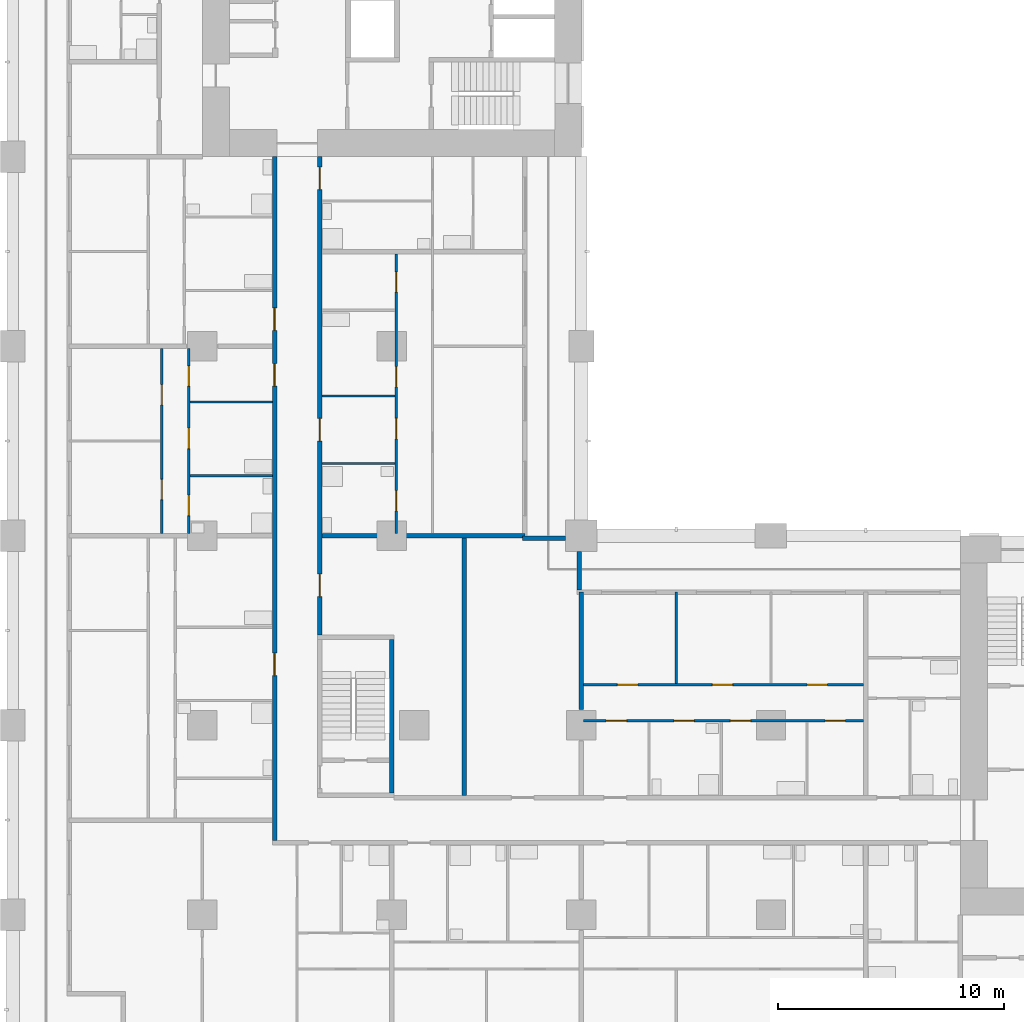
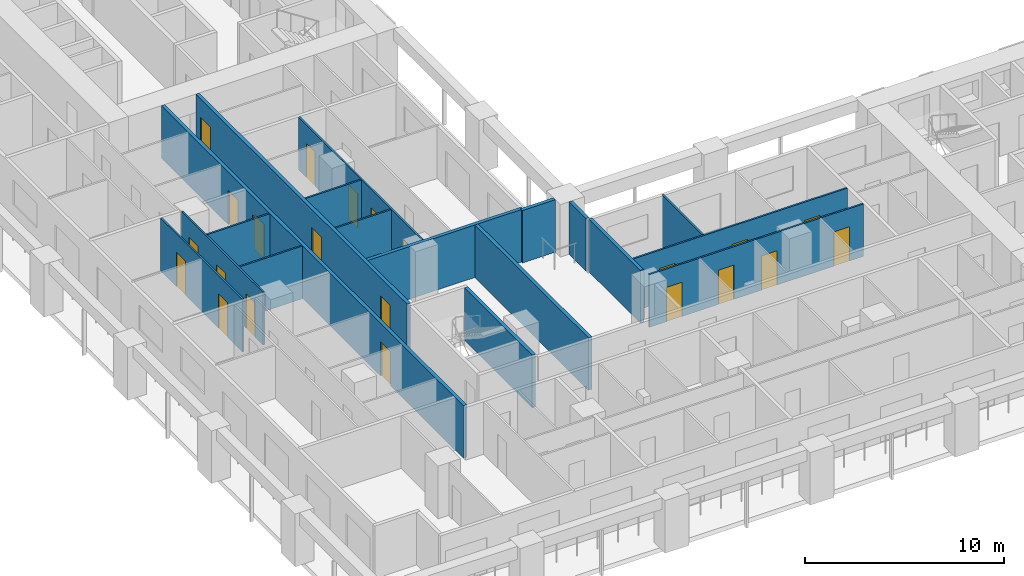
# One storey, part 4 of 19: 22 doors, 18 walls, 22 openings.
"""IFC4 building model written with IfcOpenShell, lengths in metres."""

from ifc_helpers import new_model, si_unit, direction, frame, frame_2d, origin, place, context, subcontext, project, spatial, rectangle, extrude, material, layer, layer_set, type_object, element, fill, save


model = new_model("IFC4")

# Units and contexts
model_context = context("Model", 3, precision=1e-05, world=origin(), true_north=direction((0.0, 1.0)))
body_context = subcontext(model_context, "Body", "Model", "MODEL_VIEW")
ifc_project = project(units=[si_unit("LENGTHUNIT", "METRE"), si_unit("AREAUNIT", "SQUARE_METRE"), si_unit("VOLUMEUNIT", "CUBIC_METRE"), si_unit("PLANEANGLEUNIT", "RADIAN"), si_unit("MASSUNIT", "GRAM", prefix="KILO")], contexts=[model_context])

# Site, building, storey
site_placement = place(None, origin())
site = spatial("IfcSite", under=ifc_project, at=site_placement, CompositionType="ELEMENT")
building_placement = place(site_placement, origin())
building = spatial("IfcBuilding", under=site, at=building_placement, Name="Vermilion Gate Residences", CompositionType="ELEMENT")
storey_placement = place(building_placement, frame((0.0, 0.0, 53.199951171875)))
storey = spatial("IfcBuildingStorey", under=building, at=storey_placement, Name="L12", CompositionType="ELEMENT", Elevation=53.199951171875)

# Walls
ifc_material_1 = material(Name="Insulated steel stud wall with terracotta rainscreen", Category="masonry")
ifc_layer_1 = layer(ifc_material_1, 0.199951171875)
ifc_layer_set_1 = layer_set([ifc_layer_1], Name="EXTERNAL WALL 200 TERRACOTTA RAINSCREEN")
wall_type_1 = type_object("IfcWallType", Name="EXTERNAL WALL 200 TERRACOTTA RAINSCREEN", PredefinedType="SOLIDWALL", material=ifc_layer_set_1)
wall_1_placement = place(storey_placement, frame((25.10009765625, 22.800048828125, 0.0), z_axis=(0.0, 0.0, 1.0), x_axis=(0.0, 1.0, 0.0)))
element("IfcWall", 1, at=wall_1_placement, inside=storey, type_object=wall_type_1, Name="External wall", PredefinedType="SOLIDWALL", context=body_context, shape_type="SweptSolid", body=[
    extrude(rectangle(XDim=1.699951171875, YDim=0.199951171875, at=frame_2d((0.85009765625, 0.0))), origin(), (0.0, 0.0, 1.0), 3.219970703125),
])
wall_2_placement = place(storey_placement, frame((24.5, 25.10009765625, 0.0), z_axis=(0.0, 0.0, 1.0), x_axis=(-1.0, 0.0, 0.0)))
element("IfcWall", 2, at=wall_2_placement, inside=storey, type_object=wall_type_1, Name="External wall", PredefinedType="SOLIDWALL", context=body_context, shape_type="SweptSolid", body=[
    extrude(rectangle(XDim=1.89990234375, YDim=0.199951171875, at=frame_2d((0.949951171875, 0.0))), origin(), (0.0, 0.0, 1.0), 3.219970703125),
])

# Wall, openings, doors
ifc_material_2 = material(Name="Plasterboard on steel studs", Category="steel")
ifc_layer_2 = layer(ifc_material_2, 0.10009765625)
ifc_layer_set_2 = layer_set([ifc_layer_2], Name="PARTITION 100")
wall_type_2 = type_object("IfcWallType", Name="PARTITION 100", PredefinedType="PARTITIONING", material=ifc_layer_set_2)
wall_3_placement = place(storey_placement, frame((25.300048828125, 17.0, 0.0), z_axis=(0.0, 0.0, 1.0), x_axis=(1.0, 0.0, 0.0)))
wall_3 = element("IfcWall", 3, at=wall_3_placement, inside=storey, type_object=wall_type_2, Name="Partition", PredefinedType="PARTITIONING", context=body_context, shape_type="SweptSolid", body=[
    extrude(rectangle(XDim=12.39990234375, YDim=0.10009765625, at=frame_2d((6.199951171875, 0.0))), origin(), (0.0, 0.0, 1.0), 3.219970703125),
])
opening_1_placement = place(wall_3_placement, frame((1.0, 0.0, 0.0)))
opening_1 = element("IfcOpeningElement", 4, at=opening_1_placement, cuts=wall_3, Name="Opening DA10032", PredefinedType="OPENING", context=body_context, shape_type="SweptSolid", body=[
    extrude(rectangle(XDim=0.89990234375, YDim=2.10009765625, at=frame_2d((0.449951171875, 1.050048828125))), frame((0.0, 0.06005859375, 0.0), z_axis=(0.0, -1.0, 0.0), x_axis=(1.0, 0.0, 0.0)), (0.0, 0.0, 1.0), 0.1201171875),
])
opening_2_placement = place(wall_3_placement, frame((4.0, 0.0, 0.0)))
opening_2 = element("IfcOpeningElement", 5, at=opening_2_placement, cuts=wall_3, Name="Opening DA10033", PredefinedType="OPENING", context=body_context, shape_type="SweptSolid", body=[
    extrude(rectangle(XDim=0.89990234375, YDim=2.10009765625, at=frame_2d((0.449951171875, 1.050048828125))), frame((0.0, 0.06005859375, 0.0), z_axis=(0.0, -1.0, 0.0), x_axis=(1.0, 0.0, 0.0)), (0.0, 0.0, 1.0), 0.1201171875),
])
opening_3_placement = place(wall_3_placement, frame((6.5, 0.0, 0.0)))
opening_3 = element("IfcOpeningElement", 6, at=opening_3_placement, cuts=wall_3, Name="Opening DA10034", PredefinedType="OPENING", context=body_context, shape_type="SweptSolid", body=[
    extrude(rectangle(XDim=0.89990234375, YDim=2.10009765625, at=frame_2d((0.449951171875, 1.050048828125))), frame((0.0, 0.06005859375, 0.0), z_axis=(0.0, -1.0, 0.0), x_axis=(1.0, 0.0, 0.0)), (0.0, 0.0, 1.0), 0.1201171875),
])
opening_4_placement = place(wall_3_placement, frame((10.699951171875, 0.0, 0.0)))
opening_4 = element("IfcOpeningElement", 7, at=opening_4_placement, cuts=wall_3, Name="Opening DA10035", PredefinedType="OPENING", context=body_context, shape_type="SweptSolid", body=[
    extrude(rectangle(XDim=0.89990234375, YDim=2.10009765625, at=frame_2d((0.449951171875, 1.050048828125))), frame((0.0, 0.06005859375, 0.0), z_axis=(0.0, -1.0, 0.0), x_axis=(1.0, 0.0, 0.0)), (0.0, 0.0, 1.0), 0.1201171875),
])
ifc_material_3 = material(Name="Timber", Category="wood")
door_type_1 = type_object("IfcDoorType", Name="INTERIOR DOOR 900 X 2100", OperationType="SINGLE_SWING_LEFT", PredefinedType="DOOR", material=ifc_material_3)
door_1_placement = place(opening_1_placement, frame((0.89990234375, 0.0, 0.0), z_axis=(0.0, 0.0, 1.0), x_axis=(-1.0, 0.0, 0.0)))
door_1 = element("IfcDoor", 8, at=door_1_placement, inside=storey, type_object=door_type_1, Name="Interior door", OperationType="SINGLE_SWING_RIGHT", OverallHeight=2.10009765625, OverallWidth=0.89990234375, PredefinedType="DOOR", context=body_context, shape_type="SweptSolid", body=[
    extrude(rectangle(XDim=0.89990234375, YDim=2.10009765625, at=frame_2d((0.449951171875, 1.050048828125))), frame((0.0, 0.02490234375, 0.0), z_axis=(0.0, -1.0, 0.0), x_axis=(1.0, 0.0, 0.0)), (0.0, 0.0, 1.0), 0.050048828125),
])
fill(opening_1, door_1)
door_2_placement = place(opening_2_placement, frame((0.89990234375, 0.0, 0.0), z_axis=(0.0, 0.0, 1.0), x_axis=(-1.0, 0.0, 0.0)))
door_2 = element("IfcDoor", 9, at=door_2_placement, inside=storey, type_object=door_type_1, Name="Interior door", OperationType="SINGLE_SWING_LEFT", OverallHeight=2.10009765625, OverallWidth=0.89990234375, PredefinedType="DOOR", context=body_context, shape_type="SweptSolid", body=[
    extrude(rectangle(XDim=0.89990234375, YDim=2.10009765625, at=frame_2d((0.449951171875, 1.050048828125))), frame((0.0, 0.02490234375, 0.0), z_axis=(0.0, -1.0, 0.0), x_axis=(1.0, 0.0, 0.0)), (0.0, 0.0, 1.0), 0.050048828125),
])
fill(opening_2, door_2)
door_3_placement = place(opening_3_placement, frame((0.89990234375, 0.0, 0.0), z_axis=(0.0, 0.0, 1.0), x_axis=(-1.0, 0.0, 0.0)))
door_3 = element("IfcDoor", 10, at=door_3_placement, inside=storey, type_object=door_type_1, Name="Interior door", OperationType="SINGLE_SWING_LEFT", OverallHeight=2.10009765625, OverallWidth=0.89990234375, PredefinedType="DOOR", context=body_context, shape_type="SweptSolid", body=[
    extrude(rectangle(XDim=0.89990234375, YDim=2.10009765625, at=frame_2d((0.449951171875, 1.050048828125))), frame((0.0, 0.02490234375, 0.0), z_axis=(0.0, -1.0, 0.0), x_axis=(1.0, 0.0, 0.0)), (0.0, 0.0, 1.0), 0.050048828125),
])
fill(opening_3, door_3)
door_4_placement = place(opening_4_placement, frame((0.89990234375, 0.0, 0.0), z_axis=(0.0, 0.0, 1.0), x_axis=(-1.0, 0.0, 0.0)))
door_4 = element("IfcDoor", 11, at=door_4_placement, inside=storey, type_object=door_type_1, Name="Interior door", OperationType="SINGLE_SWING_RIGHT", OverallHeight=2.10009765625, OverallWidth=0.89990234375, PredefinedType="DOOR", context=body_context, shape_type="SweptSolid", body=[
    extrude(rectangle(XDim=0.89990234375, YDim=2.10009765625, at=frame_2d((0.449951171875, 1.050048828125))), frame((0.0, 0.02490234375, 0.0), z_axis=(0.0, -1.0, 0.0), x_axis=(1.0, 0.0, 0.0)), (0.0, 0.0, 1.0), 0.050048828125),
])
fill(opening_4, door_4)

wall_4_placement = place(storey_placement, frame((25.300048828125, 18.60009765625, 0.0), z_axis=(0.0, 0.0, 1.0), x_axis=(1.0, 0.0, 0.0)))
wall_4 = element("IfcWall", 12, at=wall_4_placement, inside=storey, type_object=wall_type_2, Name="Partition", PredefinedType="PARTITIONING", context=body_context, shape_type="SweptSolid", body=[
    extrude(rectangle(XDim=12.39990234375, YDim=0.10009765625, at=frame_2d((6.199951171875, 0.0))), origin(), (0.0, 0.0, 1.0), 3.219970703125),
])
opening_5_placement = place(wall_4_placement, frame((1.5, 0.0, 0.0)))
opening_5 = element("IfcOpeningElement", 13, at=opening_5_placement, cuts=wall_4, Name="Opening DA10038", PredefinedType="OPENING", context=body_context, shape_type="SweptSolid", body=[
    extrude(rectangle(XDim=0.89990234375, YDim=2.10009765625, at=frame_2d((0.449951171875, 1.050048828125))), frame((0.0, 0.06005859375, 0.0), z_axis=(0.0, -1.0, 0.0), x_axis=(1.0, 0.0, 0.0)), (0.0, 0.0, 1.0), 0.1201171875),
])
opening_6_placement = place(wall_4_placement, frame((5.699951171875, 0.0, 0.0)))
opening_6 = element("IfcOpeningElement", 14, at=opening_6_placement, cuts=wall_4, Name="Opening DA10039", PredefinedType="OPENING", context=body_context, shape_type="SweptSolid", body=[
    extrude(rectangle(XDim=0.89990234375, YDim=2.10009765625, at=frame_2d((0.449951171875, 1.050048828125))), frame((0.0, 0.06005859375, 0.0), z_axis=(0.0, -1.0, 0.0), x_axis=(1.0, 0.0, 0.0)), (0.0, 0.0, 1.0), 0.1201171875),
])
opening_7_placement = place(wall_4_placement, frame((9.89990234375, 0.0, 0.0)))
opening_7 = element("IfcOpeningElement", 15, at=opening_7_placement, cuts=wall_4, Name="Opening DA10040", PredefinedType="OPENING", context=body_context, shape_type="SweptSolid", body=[
    extrude(rectangle(XDim=0.89990234375, YDim=2.10009765625, at=frame_2d((0.449951171875, 1.050048828125))), frame((0.0, 0.06005859375, 0.0), z_axis=(0.0, -1.0, 0.0), x_axis=(1.0, 0.0, 0.0)), (0.0, 0.0, 1.0), 0.1201171875),
])
door_5_placement = place(opening_5_placement, origin())
door_5 = element("IfcDoor", 16, at=door_5_placement, inside=storey, type_object=door_type_1, Name="Interior door", OperationType="SINGLE_SWING_LEFT", OverallHeight=2.10009765625, OverallWidth=0.89990234375, PredefinedType="DOOR", context=body_context, shape_type="SweptSolid", body=[
    extrude(rectangle(XDim=0.89990234375, YDim=2.10009765625, at=frame_2d((0.449951171875, 1.050048828125))), frame((0.0, 0.02490234375, 0.0), z_axis=(0.0, -1.0, 0.0), x_axis=(1.0, 0.0, 0.0)), (0.0, 0.0, 1.0), 0.050048828125),
])
fill(opening_5, door_5)
door_6_placement = place(opening_6_placement, origin())
door_6 = element("IfcDoor", 17, at=door_6_placement, inside=storey, type_object=door_type_1, Name="Interior door", OperationType="SINGLE_SWING_LEFT", OverallHeight=2.10009765625, OverallWidth=0.89990234375, PredefinedType="DOOR", context=body_context, shape_type="SweptSolid", body=[
    extrude(rectangle(XDim=0.89990234375, YDim=2.10009765625, at=frame_2d((0.449951171875, 1.050048828125))), frame((0.0, 0.02490234375, 0.0), z_axis=(0.0, -1.0, 0.0), x_axis=(1.0, 0.0, 0.0)), (0.0, 0.0, 1.0), 0.050048828125),
])
fill(opening_6, door_6)
door_7_placement = place(opening_7_placement, origin())
door_7 = element("IfcDoor", 18, at=door_7_placement, inside=storey, type_object=door_type_1, Name="Interior door", OperationType="SINGLE_SWING_LEFT", OverallHeight=2.10009765625, OverallWidth=0.89990234375, PredefinedType="DOOR", context=body_context, shape_type="SweptSolid", body=[
    extrude(rectangle(XDim=0.89990234375, YDim=2.10009765625, at=frame_2d((0.449951171875, 1.050048828125))), frame((0.0, 0.02490234375, 0.0), z_axis=(0.0, -1.0, 0.0), x_axis=(1.0, 0.0, 0.0)), (0.0, 0.0, 1.0), 0.050048828125),
])
fill(opening_7, door_7)

# Walls
wall_5_placement = place(storey_placement, frame((7.85009765625, 27.866943359375, 0.0), z_axis=(0.0, 0.0, 1.0), x_axis=(1.0, 0.0, 0.0)))
element("IfcWall", 19, at=wall_5_placement, inside=storey, type_object=wall_type_2, Name="Partition", PredefinedType="PARTITIONING", context=body_context, shape_type="SweptSolid", body=[
    extrude(rectangle(XDim=3.64990234375, YDim=0.10009765625, at=frame_2d((1.824951171875, 0.0))), origin(), (0.0, 0.0, 1.0), 3.219970703125),
])
wall_6_placement = place(storey_placement, frame((13.699951171875, 28.39990234375, 0.0), z_axis=(0.0, 0.0, 1.0), x_axis=(1.0, 0.0, 0.0)))
element("IfcWall", 20, at=wall_6_placement, inside=storey, type_object=wall_type_2, Name="Partition", PredefinedType="PARTITIONING", context=body_context, shape_type="SweptSolid", body=[
    extrude(rectangle(XDim=3.25, YDim=0.10009765625, at=frame_2d((1.625, 0.0))), origin(), (0.0, 0.0, 1.0), 3.219970703125),
])
wall_7_placement = place(storey_placement, frame((7.85009765625, 31.133056640625, 0.0), z_axis=(0.0, 0.0, 1.0), x_axis=(1.0, 0.0, 0.0)))
element("IfcWall", 21, at=wall_7_placement, inside=storey, type_object=wall_type_2, Name="Partition", PredefinedType="PARTITIONING", context=body_context, shape_type="SweptSolid", body=[
    extrude(rectangle(XDim=3.64990234375, YDim=0.10009765625, at=frame_2d((1.824951171875, 0.0))), origin(), (0.0, 0.0, 1.0), 3.219970703125),
])
wall_8_placement = place(storey_placement, frame((13.699951171875, 31.39990234375, 0.0), z_axis=(0.0, 0.0, 1.0), x_axis=(1.0, 0.0, 0.0)))
element("IfcWall", 22, at=wall_8_placement, inside=storey, type_object=wall_type_2, Name="Partition", PredefinedType="PARTITIONING", context=body_context, shape_type="SweptSolid", body=[
    extrude(rectangle(XDim=3.25, YDim=0.10009765625, at=frame_2d((1.625, 0.0))), origin(), (0.0, 0.0, 1.0), 3.219970703125),
])

# Wall, openings, doors
wall_9_placement = place(storey_placement, frame((6.60009765625, 25.300048828125, 0.0), z_axis=(0.0, 0.0, 1.0), x_axis=(0.0, 1.0, 0.0)))
wall_9 = element("IfcWall", 23, at=wall_9_placement, inside=storey, type_object=wall_type_2, Name="Partition", PredefinedType="PARTITIONING", context=body_context, shape_type="SweptSolid", body=[
    extrude(rectangle(XDim=8.199951171875, YDim=0.10009765625, at=frame_2d((4.10009765625, 0.0))), origin(), (0.0, 0.0, 1.0), 3.219970703125),
])
opening_8_placement = place(wall_9_placement, frame((1.5, 0.0, 0.0)))
opening_8 = element("IfcOpeningElement", 24, at=opening_8_placement, cuts=wall_9, Name="Opening DA10051", PredefinedType="OPENING", context=body_context, shape_type="SweptSolid", body=[
    extrude(rectangle(XDim=0.89990234375, YDim=2.10009765625, at=frame_2d((0.449951171875, 1.050048828125))), frame((0.0, 0.06005859375, 0.0), z_axis=(0.0, -1.0, 0.0), x_axis=(1.0, 0.0, 0.0)), (0.0, 0.0, 1.0), 0.1201171875),
])
opening_9_placement = place(wall_9_placement, frame((5.699951171875, 0.0, 0.0)))
opening_9 = element("IfcOpeningElement", 25, at=opening_9_placement, cuts=wall_9, Name="Opening DA10052", PredefinedType="OPENING", context=body_context, shape_type="SweptSolid", body=[
    extrude(rectangle(XDim=0.89990234375, YDim=2.10009765625, at=frame_2d((0.449951171875, 1.050048828125))), frame((0.0, 0.06005859375, 0.0), z_axis=(0.0, -1.0, 0.0), x_axis=(1.0, 0.0, 0.0)), (0.0, 0.0, 1.0), 0.1201171875),
])
door_8_placement = place(opening_8_placement, origin())
door_8 = element("IfcDoor", 26, at=door_8_placement, inside=storey, type_object=door_type_1, Name="Interior door", OperationType="SINGLE_SWING_LEFT", OverallHeight=2.10009765625, OverallWidth=0.89990234375, PredefinedType="DOOR", context=body_context, shape_type="SweptSolid", body=[
    extrude(rectangle(XDim=0.89990234375, YDim=2.10009765625, at=frame_2d((0.449951171875, 1.050048828125))), frame((0.0, 0.02490234375, 0.0), z_axis=(0.0, -1.0, 0.0), x_axis=(1.0, 0.0, 0.0)), (0.0, 0.0, 1.0), 0.050048828125),
])
fill(opening_8, door_8)
door_9_placement = place(opening_9_placement, origin())
door_9 = element("IfcDoor", 27, at=door_9_placement, inside=storey, type_object=door_type_1, Name="Interior door", OperationType="SINGLE_SWING_LEFT", OverallHeight=2.10009765625, OverallWidth=0.89990234375, PredefinedType="DOOR", context=body_context, shape_type="SweptSolid", body=[
    extrude(rectangle(XDim=0.89990234375, YDim=2.10009765625, at=frame_2d((0.449951171875, 1.050048828125))), frame((0.0, 0.02490234375, 0.0), z_axis=(0.0, -1.0, 0.0), x_axis=(1.0, 0.0, 0.0)), (0.0, 0.0, 1.0), 0.050048828125),
])
fill(opening_9, door_9)

wall_10_placement = place(storey_placement, frame((7.800048828125, 25.300048828125, 0.0), z_axis=(0.0, 0.0, 1.0), x_axis=(0.0, 1.0, 0.0)))
wall_10 = element("IfcWall", 28, at=wall_10_placement, inside=storey, type_object=wall_type_2, Name="Partition", PredefinedType="PARTITIONING", context=body_context, shape_type="SweptSolid", body=[
    extrude(rectangle(XDim=8.199951171875, YDim=0.10009765625, at=frame_2d((4.10009765625, 0.0))), origin(), (0.0, 0.0, 1.0), 3.219970703125),
])
opening_10_placement = place(wall_10_placement, frame((6.532958984375, 0.0, 0.0)))
opening_10 = element("IfcOpeningElement", 29, at=opening_10_placement, cuts=wall_10, Name="Opening DA10060", PredefinedType="OPENING", context=body_context, shape_type="SweptSolid", body=[
    extrude(rectangle(XDim=0.89990234375, YDim=2.10009765625, at=frame_2d((0.449951171875, 1.050048828125))), frame((0.0, 0.06005859375, 0.0), z_axis=(0.0, -1.0, 0.0), x_axis=(1.0, 0.0, 0.0)), (0.0, 0.0, 1.0), 0.1201171875),
])
opening_11_placement = place(wall_10_placement, frame((0.800048828125, 0.0, 0.0)))
opening_11 = element("IfcOpeningElement", 30, at=opening_11_placement, cuts=wall_10, Name="Opening DA10061", PredefinedType="OPENING", context=body_context, shape_type="SweptSolid", body=[
    extrude(rectangle(XDim=0.89990234375, YDim=2.10009765625, at=frame_2d((0.449951171875, 1.050048828125))), frame((0.0, 0.06005859375, 0.0), z_axis=(0.0, -1.0, 0.0), x_axis=(1.0, 0.0, 0.0)), (0.0, 0.0, 1.0), 0.1201171875),
])
opening_12_placement = place(wall_10_placement, frame((3.76708984375, 0.0, 0.0)))
opening_12 = element("IfcOpeningElement", 31, at=opening_12_placement, cuts=wall_10, Name="Opening DA10062", PredefinedType="OPENING", context=body_context, shape_type="SweptSolid", body=[
    extrude(rectangle(XDim=0.89990234375, YDim=2.10009765625, at=frame_2d((0.449951171875, 1.050048828125))), frame((0.0, 0.06005859375, 0.0), z_axis=(0.0, -1.0, 0.0), x_axis=(1.0, 0.0, 0.0)), (0.0, 0.0, 1.0), 0.1201171875),
])
door_10_placement = place(opening_10_placement, frame((0.89990234375, 0.0, 0.0), z_axis=(0.0, 0.0, 1.0), x_axis=(-1.0, 0.0, 0.0)))
door_10 = element("IfcDoor", 32, at=door_10_placement, inside=storey, type_object=door_type_1, Name="Interior door", OperationType="SINGLE_SWING_LEFT", OverallHeight=2.10009765625, OverallWidth=0.89990234375, PredefinedType="DOOR", context=body_context, shape_type="SweptSolid", body=[
    extrude(rectangle(XDim=0.89990234375, YDim=2.10009765625, at=frame_2d((0.449951171875, 1.050048828125))), frame((0.0, 0.02490234375, 0.0), z_axis=(0.0, -1.0, 0.0), x_axis=(1.0, 0.0, 0.0)), (0.0, 0.0, 1.0), 0.050048828125),
])
fill(opening_10, door_10)
door_11_placement = place(opening_11_placement, frame((0.89990234375, 0.0, 0.0), z_axis=(0.0, 0.0, 1.0), x_axis=(-1.0, 0.0, 0.0)))
door_11 = element("IfcDoor", 33, at=door_11_placement, inside=storey, type_object=door_type_1, Name="Interior door", OperationType="SINGLE_SWING_RIGHT", OverallHeight=2.10009765625, OverallWidth=0.89990234375, PredefinedType="DOOR", context=body_context, shape_type="SweptSolid", body=[
    extrude(rectangle(XDim=0.89990234375, YDim=2.10009765625, at=frame_2d((0.449951171875, 1.050048828125))), frame((0.0, 0.02490234375, 0.0), z_axis=(0.0, -1.0, 0.0), x_axis=(1.0, 0.0, 0.0)), (0.0, 0.0, 1.0), 0.050048828125),
])
fill(opening_11, door_11)
door_12_placement = place(opening_12_placement, frame((0.89990234375, 0.0, 0.0), z_axis=(0.0, 0.0, 1.0), x_axis=(-1.0, 0.0, 0.0)))
door_12 = element("IfcDoor", 34, at=door_12_placement, inside=storey, type_object=door_type_1, Name="Interior door", OperationType="SINGLE_SWING_LEFT", OverallHeight=2.10009765625, OverallWidth=0.89990234375, PredefinedType="DOOR", context=body_context, shape_type="SweptSolid", body=[
    extrude(rectangle(XDim=0.89990234375, YDim=2.10009765625, at=frame_2d((0.449951171875, 1.050048828125))), frame((0.0, 0.02490234375, 0.0), z_axis=(0.0, -1.0, 0.0), x_axis=(1.0, 0.0, 0.0)), (0.0, 0.0, 1.0), 0.050048828125),
])
fill(opening_12, door_12)

wall_11_placement = place(storey_placement, frame((17.0, 25.300048828125, 0.0), z_axis=(0.0, 0.0, 1.0), x_axis=(0.0, 1.0, 0.0)))
wall_11 = element("IfcWall", 35, at=wall_11_placement, inside=storey, type_object=wall_type_2, Name="Partition", PredefinedType="PARTITIONING", context=body_context, shape_type="SweptSolid", body=[
    extrude(rectangle(XDim=12.39990234375, YDim=0.10009765625, at=frame_2d((6.199951171875, 0.0))), origin(), (0.0, 0.0, 1.0), 3.219970703125),
])
opening_13_placement = place(wall_11_placement, frame((4.199951171875, 0.0, 0.0)))
opening_13 = element("IfcOpeningElement", 36, at=opening_13_placement, cuts=wall_11, Name="Opening DA10071", PredefinedType="OPENING", context=body_context, shape_type="SweptSolid", body=[
    extrude(rectangle(XDim=0.89990234375, YDim=2.10009765625, at=frame_2d((0.449951171875, 1.050048828125))), frame((0.0, 0.06005859375, 0.0), z_axis=(0.0, -1.0, 0.0), x_axis=(1.0, 0.0, 0.0)), (0.0, 0.0, 1.0), 0.1201171875),
])
opening_14_placement = place(wall_11_placement, frame((1.0, 0.0, 0.0)))
opening_14 = element("IfcOpeningElement", 37, at=opening_14_placement, cuts=wall_11, Name="Opening DA10072", PredefinedType="OPENING", context=body_context, shape_type="SweptSolid", body=[
    extrude(rectangle(XDim=0.89990234375, YDim=2.10009765625, at=frame_2d((0.449951171875, 1.050048828125))), frame((0.0, 0.06005859375, 0.0), z_axis=(0.0, -1.0, 0.0), x_axis=(1.0, 0.0, 0.0)), (0.0, 0.0, 1.0), 0.1201171875),
])
opening_15_placement = place(wall_11_placement, frame((6.5, 0.0, 0.0)))
opening_15 = element("IfcOpeningElement", 38, at=opening_15_placement, cuts=wall_11, Name="Opening DA10073", PredefinedType="OPENING", context=body_context, shape_type="SweptSolid", body=[
    extrude(rectangle(XDim=0.89990234375, YDim=2.10009765625, at=frame_2d((0.449951171875, 1.050048828125))), frame((0.0, 0.06005859375, 0.0), z_axis=(0.0, -1.0, 0.0), x_axis=(1.0, 0.0, 0.0)), (0.0, 0.0, 1.0), 0.1201171875),
])
opening_16_placement = place(wall_11_placement, frame((10.699951171875, 0.0, 0.0)))
opening_16 = element("IfcOpeningElement", 39, at=opening_16_placement, cuts=wall_11, Name="Opening DA10074", PredefinedType="OPENING", context=body_context, shape_type="SweptSolid", body=[
    extrude(rectangle(XDim=0.89990234375, YDim=2.10009765625, at=frame_2d((0.449951171875, 1.050048828125))), frame((0.0, 0.06005859375, 0.0), z_axis=(0.0, -1.0, 0.0), x_axis=(1.0, 0.0, 0.0)), (0.0, 0.0, 1.0), 0.1201171875),
])
door_13_placement = place(opening_13_placement, origin())
door_13 = element("IfcDoor", 40, at=door_13_placement, inside=storey, type_object=door_type_1, Name="Interior door", OperationType="SINGLE_SWING_RIGHT", OverallHeight=2.10009765625, OverallWidth=0.89990234375, PredefinedType="DOOR", context=body_context, shape_type="SweptSolid", body=[
    extrude(rectangle(XDim=0.89990234375, YDim=2.10009765625, at=frame_2d((0.449951171875, 1.050048828125))), frame((0.0, 0.02490234375, 0.0), z_axis=(0.0, -1.0, 0.0), x_axis=(1.0, 0.0, 0.0)), (0.0, 0.0, 1.0), 0.050048828125),
])
fill(opening_13, door_13)
door_14_placement = place(opening_14_placement, origin())
door_14 = element("IfcDoor", 41, at=door_14_placement, inside=storey, type_object=door_type_1, Name="Interior door", OperationType="SINGLE_SWING_LEFT", OverallHeight=2.10009765625, OverallWidth=0.89990234375, PredefinedType="DOOR", context=body_context, shape_type="SweptSolid", body=[
    extrude(rectangle(XDim=0.89990234375, YDim=2.10009765625, at=frame_2d((0.449951171875, 1.050048828125))), frame((0.0, 0.02490234375, 0.0), z_axis=(0.0, -1.0, 0.0), x_axis=(1.0, 0.0, 0.0)), (0.0, 0.0, 1.0), 0.050048828125),
])
fill(opening_14, door_14)
door_15_placement = place(opening_15_placement, origin())
door_15 = element("IfcDoor", 42, at=door_15_placement, inside=storey, type_object=door_type_1, Name="Interior door", OperationType="SINGLE_SWING_RIGHT", OverallHeight=2.10009765625, OverallWidth=0.89990234375, PredefinedType="DOOR", context=body_context, shape_type="SweptSolid", body=[
    extrude(rectangle(XDim=0.89990234375, YDim=2.10009765625, at=frame_2d((0.449951171875, 1.050048828125))), frame((0.0, 0.02490234375, 0.0), z_axis=(0.0, -1.0, 0.0), x_axis=(1.0, 0.0, 0.0)), (0.0, 0.0, 1.0), 0.050048828125),
])
fill(opening_15, door_15)
door_16_placement = place(opening_16_placement, origin())
door_16 = element("IfcDoor", 43, at=door_16_placement, inside=storey, type_object=door_type_1, Name="Interior door", OperationType="SINGLE_SWING_LEFT", OverallHeight=2.10009765625, OverallWidth=0.89990234375, PredefinedType="DOOR", context=body_context, shape_type="SweptSolid", body=[
    extrude(rectangle(XDim=0.89990234375, YDim=2.10009765625, at=frame_2d((0.449951171875, 1.050048828125))), frame((0.0, 0.02490234375, 0.0), z_axis=(0.0, -1.0, 0.0), x_axis=(1.0, 0.0, 0.0)), (0.0, 0.0, 1.0), 0.050048828125),
])
fill(opening_16, door_16)

# Walls
wall_12_placement = place(storey_placement, frame((29.39990234375, 18.64990234375, 0.0), z_axis=(0.0, 0.0, 1.0), x_axis=(0.0, 1.0, 0.0)))
element("IfcWall", 44, at=wall_12_placement, inside=storey, type_object=wall_type_2, Name="Partition", PredefinedType="PARTITIONING", context=body_context, shape_type="SweptSolid", body=[
    extrude(rectangle(XDim=4.050048828125, YDim=0.10009765625, at=frame_2d((2.02490234375, 0.0))), origin(), (0.0, 0.0, 1.0), 3.219970703125),
])
ifc_material_4 = material(Name="Fire-rated plasterboard on steel studs", Category="steel")
ifc_layer_3 = layer(ifc_material_4, 0.199951171875)
ifc_layer_set_3 = layer_set([ifc_layer_3], Name="PARTY WALL 200 EI 120")
wall_type_3 = type_object("IfcWallType", Name="PARTY WALL 200 EI 120", PredefinedType="PARTITIONING", material=ifc_layer_set_3)
wall_13_placement = place(storey_placement, frame((13.699951171875, 25.199951171875, 0.0), z_axis=(0.0, 0.0, 1.0), x_axis=(1.0, 0.0, 0.0)))
element("IfcWall", 45, at=wall_13_placement, inside=storey, type_object=wall_type_3, Name="Party and corridor wall", PredefinedType="PARTITIONING", context=body_context, shape_type="SweptSolid", body=[
    extrude(rectangle(XDim=9.0, YDim=0.199951171875, at=frame_2d((4.5, 0.0))), origin(), (0.0, 0.0, 1.0), 3.219970703125),
])

# Wall, openings, doors
wall_14_placement = place(storey_placement, frame((11.60009765625, 11.699951171875, 0.0), z_axis=(0.0, 0.0, 1.0), x_axis=(0.0, 1.0, 0.0)))
wall_14 = element("IfcWall", 46, at=wall_14_placement, inside=storey, type_object=wall_type_3, Name="Party and corridor wall", PredefinedType="PARTITIONING", context=body_context, shape_type="SweptSolid", body=[
    extrude(rectangle(XDim=30.300048828125, YDim=0.199951171875, at=frame_2d((15.14990234375, 0.0))), origin(), (0.0, 0.0, 1.0), 3.219970703125),
])
opening_17_placement = place(wall_14_placement, frame((7.300048828125, 0.0, 0.0)))
opening_17 = element("IfcOpeningElement", 47, at=opening_17_placement, cuts=wall_14, Name="Opening DA10064", PredefinedType="OPENING", context=body_context, shape_type="SweptSolid", body=[
    extrude(rectangle(XDim=1.0, YDim=2.10009765625, at=frame_2d((0.5, 1.050048828125))), frame((0.0, 0.10986328125, 0.0), z_axis=(0.0, -1.0, 0.0), x_axis=(1.0, 0.0, 0.0)), (0.0, 0.0, 1.0), 0.219970703125),
])
opening_18_placement = place(wall_14_placement, frame((20.133056640625, 0.0, 0.0)))
opening_18 = element("IfcOpeningElement", 48, at=opening_18_placement, cuts=wall_14, Name="Opening DA10065", PredefinedType="OPENING", context=body_context, shape_type="SweptSolid", body=[
    extrude(rectangle(XDim=1.0, YDim=2.10009765625, at=frame_2d((0.5, 1.050048828125))), frame((0.0, 0.10986328125, 0.0), z_axis=(0.0, -1.0, 0.0), x_axis=(1.0, 0.0, 0.0)), (0.0, 0.0, 1.0), 0.219970703125),
])
opening_19_placement = place(wall_14_placement, frame((22.60009765625, 0.0, 0.0)))
opening_19 = element("IfcOpeningElement", 49, at=opening_19_placement, cuts=wall_14, Name="Opening DA10066", PredefinedType="OPENING", context=body_context, shape_type="SweptSolid", body=[
    extrude(rectangle(XDim=1.0, YDim=2.10009765625, at=frame_2d((0.5, 1.050048828125))), frame((0.0, 0.10986328125, 0.0), z_axis=(0.0, -1.0, 0.0), x_axis=(1.0, 0.0, 0.0)), (0.0, 0.0, 1.0), 0.219970703125),
])
ifc_material_5 = material(Name="Steel", Category="steel")
door_type_2 = type_object("IfcDoorType", Name="ENTRANCE DOOR 1000 X 2100 FD30", OperationType="SINGLE_SWING_LEFT", PredefinedType="DOOR", material=ifc_material_5)
door_17_placement = place(opening_17_placement, origin())
door_17 = element("IfcDoor", 50, at=door_17_placement, inside=storey, type_object=door_type_2, Name="Entrance door", OperationType="SINGLE_SWING_LEFT", OverallHeight=2.10009765625, OverallWidth=1.0, PredefinedType="DOOR", context=body_context, shape_type="SweptSolid", body=[
    extrude(rectangle(XDim=1.0, YDim=2.10009765625, at=frame_2d((0.5, 1.050048828125))), frame((0.0, 0.02490234375, 0.0), z_axis=(0.0, -1.0, 0.0), x_axis=(1.0, 0.0, 0.0)), (0.0, 0.0, 1.0), 0.050048828125),
])
fill(opening_17, door_17)
door_18_placement = place(opening_18_placement, origin())
door_18 = element("IfcDoor", 51, at=door_18_placement, inside=storey, type_object=door_type_2, Name="Entrance door", OperationType="SINGLE_SWING_LEFT", OverallHeight=2.10009765625, OverallWidth=1.0, PredefinedType="DOOR", context=body_context, shape_type="SweptSolid", body=[
    extrude(rectangle(XDim=1.0, YDim=2.10009765625, at=frame_2d((0.5, 1.050048828125))), frame((0.0, 0.02490234375, 0.0), z_axis=(0.0, -1.0, 0.0), x_axis=(1.0, 0.0, 0.0)), (0.0, 0.0, 1.0), 0.050048828125),
])
fill(opening_18, door_18)
door_19_placement = place(opening_19_placement, origin())
door_19 = element("IfcDoor", 52, at=door_19_placement, inside=storey, type_object=door_type_2, Name="Entrance door", OperationType="SINGLE_SWING_LEFT", OverallHeight=2.10009765625, OverallWidth=1.0, PredefinedType="DOOR", context=body_context, shape_type="SweptSolid", body=[
    extrude(rectangle(XDim=1.0, YDim=2.10009765625, at=frame_2d((0.5, 1.050048828125))), frame((0.0, 0.02490234375, 0.0), z_axis=(0.0, -1.0, 0.0), x_axis=(1.0, 0.0, 0.0)), (0.0, 0.0, 1.0), 0.050048828125),
])
fill(opening_19, door_19)

wall_15_placement = place(storey_placement, frame((13.60009765625, 20.800048828125, 0.0), z_axis=(0.0, 0.0, 1.0), x_axis=(0.0, 1.0, 0.0)))
wall_15 = element("IfcWall", 53, at=wall_15_placement, inside=storey, type_object=wall_type_3, Name="Party and corridor wall", PredefinedType="PARTITIONING", context=body_context, shape_type="SweptSolid", body=[
    extrude(rectangle(XDim=21.199951171875, YDim=0.199951171875, at=frame_2d((10.60009765625, 0.0))), origin(), (0.0, 0.0, 1.0), 3.219970703125),
])
opening_20_placement = place(wall_15_placement, frame((8.60009765625, 0.0, 0.0)))
opening_20 = element("IfcOpeningElement", 54, at=opening_20_placement, cuts=wall_15, Name="Opening DA10068", PredefinedType="OPENING", context=body_context, shape_type="SweptSolid", body=[
    extrude(rectangle(XDim=1.0, YDim=2.10009765625, at=frame_2d((0.5, 1.050048828125))), frame((0.0, 0.10986328125, 0.0), z_axis=(0.0, -1.0, 0.0), x_axis=(1.0, 0.0, 0.0)), (0.0, 0.0, 1.0), 0.219970703125),
])
opening_21_placement = place(wall_15_placement, frame((19.739990234375, 0.0, 0.0)))
opening_21 = element("IfcOpeningElement", 55, at=opening_21_placement, cuts=wall_15, Name="Opening DA10069", PredefinedType="OPENING", context=body_context, shape_type="SweptSolid", body=[
    extrude(rectangle(XDim=1.0, YDim=2.10009765625, at=frame_2d((0.5, 1.050048828125))), frame((0.0, 0.10986328125, 0.0), z_axis=(0.0, -1.0, 0.0), x_axis=(1.0, 0.0, 0.0)), (0.0, 0.0, 1.0), 0.219970703125),
])
opening_22_placement = place(wall_15_placement, frame((1.699951171875, 0.0, 0.0)))
opening_22 = element("IfcOpeningElement", 56, at=opening_22_placement, cuts=wall_15, Name="Opening DA10070", PredefinedType="OPENING", context=body_context, shape_type="SweptSolid", body=[
    extrude(rectangle(XDim=1.0, YDim=2.10009765625, at=frame_2d((0.5, 1.050048828125))), frame((0.0, 0.10986328125, 0.0), z_axis=(0.0, -1.0, 0.0), x_axis=(1.0, 0.0, 0.0)), (0.0, 0.0, 1.0), 0.219970703125),
])
door_20_placement = place(opening_20_placement, frame((1.0, 0.0, 0.0), z_axis=(0.0, 0.0, 1.0), x_axis=(-1.0, 0.0, 0.0)))
door_20 = element("IfcDoor", 57, at=door_20_placement, inside=storey, type_object=door_type_2, Name="Entrance door", OperationType="SINGLE_SWING_RIGHT", OverallHeight=2.10009765625, OverallWidth=1.0, PredefinedType="DOOR", context=body_context, shape_type="SweptSolid", body=[
    extrude(rectangle(XDim=1.0, YDim=2.10009765625, at=frame_2d((0.5, 1.050048828125))), frame((0.0, 0.02490234375, 0.0), z_axis=(0.0, -1.0, 0.0), x_axis=(1.0, 0.0, 0.0)), (0.0, 0.0, 1.0), 0.050048828125),
])
fill(opening_20, door_20)
door_21_placement = place(opening_21_placement, frame((1.0, 0.0, 0.0), z_axis=(0.0, 0.0, 1.0), x_axis=(-1.0, 0.0, 0.0)))
door_21 = element("IfcDoor", 58, at=door_21_placement, inside=storey, type_object=door_type_2, Name="Entrance door", OperationType="SINGLE_SWING_RIGHT", OverallHeight=2.10009765625, OverallWidth=1.0, PredefinedType="DOOR", context=body_context, shape_type="SweptSolid", body=[
    extrude(rectangle(XDim=1.0, YDim=2.10009765625, at=frame_2d((0.5, 1.050048828125))), frame((0.0, 0.02490234375, 0.0), z_axis=(0.0, -1.0, 0.0), x_axis=(1.0, 0.0, 0.0)), (0.0, 0.0, 1.0), 0.050048828125),
])
fill(opening_21, door_21)
door_22_placement = place(opening_22_placement, frame((1.0, 0.0, 0.0), z_axis=(0.0, 0.0, 1.0), x_axis=(-1.0, 0.0, 0.0)))
door_22 = element("IfcDoor", 59, at=door_22_placement, inside=storey, type_object=door_type_2, Name="Entrance door", OperationType="SINGLE_SWING_LEFT", OverallHeight=2.10009765625, OverallWidth=1.0, PredefinedType="DOOR", context=body_context, shape_type="SweptSolid", body=[
    extrude(rectangle(XDim=1.0, YDim=2.10009765625, at=frame_2d((0.5, 1.050048828125))), frame((0.0, 0.02490234375, 0.0), z_axis=(0.0, -1.0, 0.0), x_axis=(1.0, 0.0, 0.0)), (0.0, 0.0, 1.0), 0.050048828125),
])
fill(opening_22, door_22)

# Walls
wall_16_placement = place(storey_placement, frame((20.0, 13.699951171875, 0.0), z_axis=(0.0, 0.0, 1.0), x_axis=(0.0, 1.0, 0.0)))
element("IfcWall", 60, at=wall_16_placement, inside=storey, type_object=wall_type_3, Name="Party and corridor wall", PredefinedType="PARTITIONING", context=body_context, shape_type="SweptSolid", body=[
    extrude(rectangle(XDim=11.400146484375, YDim=0.199951171875, at=frame_2d((5.7001953125, 0.0))), origin(), (0.0, 0.0, 1.0), 3.219970703125),
])
wall_17_placement = place(storey_placement, frame((25.199951171875, 17.5, 0.0), z_axis=(0.0, 0.0, 1.0), x_axis=(0.0, 1.0, 0.0)))
element("IfcWall", 61, at=wall_17_placement, inside=storey, type_object=wall_type_3, Name="Party and corridor wall", PredefinedType="PARTITIONING", context=body_context, shape_type="SweptSolid", body=[
    extrude(rectangle(XDim=5.199951171875, YDim=0.199951171875, at=frame_2d((2.60009765625, 0.0))), origin(), (0.0, 0.0, 1.0), 3.219970703125),
])
ifc_material_6 = material(Name="Concrete C60", Category="concrete")
ifc_layer_4 = layer(ifc_material_6, 0.199951171875)
ifc_layer_set_4 = layer_set([ifc_layer_4], Name="RC CORE INTERNAL WALL 200 C60")
wall_type_4 = type_object("IfcWallType", Name="RC CORE INTERNAL WALL 200 C60", PredefinedType="SHEAR", material=ifc_layer_set_4)
wall_18_placement = place(storey_placement, frame((16.800048828125, 13.800048828125, 0.0), z_axis=(0.0, 0.0, 1.0), x_axis=(0.0, 1.0, 0.0)))
element("IfcWall", 62, at=wall_18_placement, inside=storey, type_object=wall_type_4, Name="Core internal wall C12-E", PredefinedType="SHEAR", context=body_context, shape_type="SweptSolid", body=[
    extrude(rectangle(XDim=6.800048828125, YDim=0.199951171875, at=frame_2d((3.39990234375, 0.0))), origin(), (0.0, 0.0, 1.0), 3.219970703125),
])

save(model, "model.ifc")
